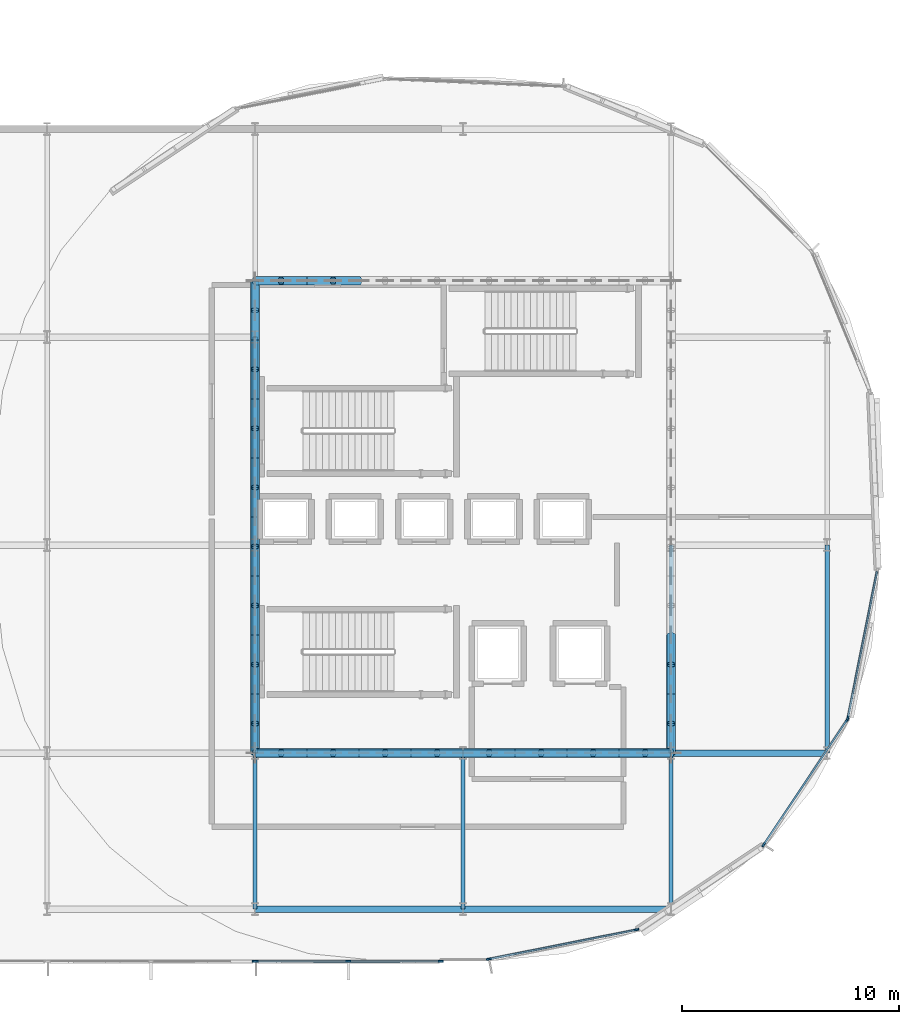
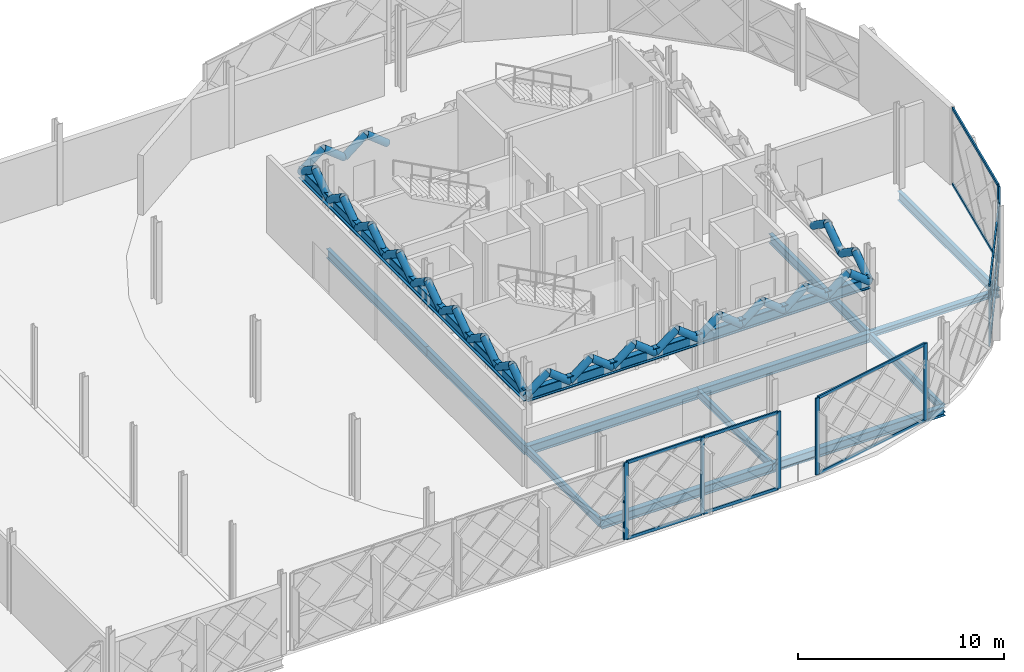
# One storey, part 33 of 77: 62 members, 12 beams, 5 elements without a shape of their own.
"""IFC4 building model written with IfcOpenShell, lengths in metres."""

from ifc_helpers import new_model, si_unit, direction, frame, origin, origin_2d, place, context, subcontext, project, spatial, rectangle, hollow_circle, i_section, extrude, material, layer, layer_set, material_profile, profile_set, type_object, element, aggregate, save


model = new_model("IFC4")

# Units and contexts
model_context = context("Model", 3, precision=1e-05, world=origin(), true_north=direction((0.0, 1.0)))
body_context = subcontext(model_context, "Body", "Model", "MODEL_VIEW")
ifc_project = project(units=[si_unit("LENGTHUNIT", "METRE"), si_unit("AREAUNIT", "SQUARE_METRE"), si_unit("VOLUMEUNIT", "CUBIC_METRE"), si_unit("PLANEANGLEUNIT", "RADIAN"), si_unit("MASSUNIT", "GRAM", prefix="KILO")], contexts=[model_context])

# Site, building, storey
site_placement = place(None, origin())
site = spatial("IfcSite", under=ifc_project, at=site_placement, CompositionType="ELEMENT")
building_placement = place(site_placement, origin())
building = spatial("IfcBuilding", under=site, at=building_placement, Name="Zevrakil Square Congress Hotel", CompositionType="ELEMENT")
storey_placement = place(building_placement, frame((0.0, 0.0, 9.89990234375)))
storey = spatial("IfcBuildingStorey", under=building, at=storey_placement, Name="L03", CompositionType="ELEMENT", Elevation=9.89990234375)

# Beams
ifc_material_1 = material(Name="Steel S355", Category="steel")
ifc_material_profile_1 = material_profile(ifc_material_1, i_section(OverallWidth=0.300048828125, OverallDepth=0.31005859375, WebThickness=0.009033203125, FlangeThickness=0.015380859375, FilletRadius=0.027099609375, at=origin_2d()), Name="HEA 320")
ifc_profile_set_1 = profile_set([ifc_material_profile_1], Name="Steel S355")
beam_type_1 = type_object("IfcBeamType", Name="BM-HEA320", PredefinedType="BEAM", material=ifc_profile_set_1)
beam_1_placement = place(storey_placement, frame((156.0, 16.800048828125, -0.414794921875), z_axis=(1.0, 0.0, 0.0), x_axis=(0.0, 1.0, 0.0)))
element("IfcBeam", 1, at=beam_1_placement, inside=storey, type_object=beam_type_1, Name="L03 primary girder BX-0995", PredefinedType="BEAM", context=body_context, shape_type="SweptSolid", body=[
    extrude(i_section(OverallWidth=0.300048828125, OverallDepth=0.31005859375, WebThickness=0.009033203125, FlangeThickness=0.015380859375, FilletRadius=0.027099609375, at=origin_2d()), origin(), (0.0, 0.0, 1.0), 7.199951171875),
])
ifc_material_2 = material(Name="Steel S355", Category="steel")
ifc_material_profile_2 = material_profile(ifc_material_2, i_section(OverallWidth=0.300048828125, OverallDepth=0.5400390625, WebThickness=0.012451171875, FlangeThickness=0.02392578125, FilletRadius=0.027099609375, at=origin_2d()), Name="HEA 550")
ifc_profile_set_2 = profile_set([ifc_material_profile_2], Name="Steel S355")
beam_type_2 = type_object("IfcBeamType", Name="BM-HEA550", PredefinedType="BEAM", material=ifc_profile_set_2)
beam_2_placement = place(storey_placement, frame((136.800048828125, 9.60009765625, -0.52978515625), z_axis=(1.0, 0.0, 0.0), x_axis=(0.0, 1.0, 0.0)))
element("IfcBeam", 2, at=beam_2_placement, inside=storey, type_object=beam_type_2, Name="L03 primary girder BX-0981", PredefinedType="BEAM", context=body_context, shape_type="SweptSolid", body=[
    extrude(i_section(OverallWidth=0.300048828125, OverallDepth=0.5400390625, WebThickness=0.012451171875, FlangeThickness=0.02392578125, FilletRadius=0.027099609375, at=origin_2d()), origin(), (0.0, 0.0, 1.0), 9.599853515625),
])
beam_3_placement = place(storey_placement, frame((146.39990234375, 9.60009765625, -0.52978515625), z_axis=(1.0, 0.0, 0.0), x_axis=(0.0, 1.0, 0.0)))
element("IfcBeam", 3, at=beam_3_placement, inside=storey, type_object=beam_type_2, Name="L03 primary girder BX-0982", PredefinedType="BEAM", context=body_context, shape_type="SweptSolid", body=[
    extrude(i_section(OverallWidth=0.300048828125, OverallDepth=0.5400390625, WebThickness=0.012451171875, FlangeThickness=0.02392578125, FilletRadius=0.027099609375, at=origin_2d()), origin(), (0.0, 0.0, 1.0), 9.60009765625),
])
beam_4_placement = place(storey_placement, frame((136.800048828125, 16.800048828125, -0.52978515625), z_axis=(1.0, 0.0, 0.0), x_axis=(0.0, 1.0, 0.0)))
element("IfcBeam", 4, at=beam_4_placement, inside=storey, type_object=beam_type_2, Name="L03 primary girder BX-0993", PredefinedType="BEAM", context=body_context, shape_type="SweptSolid", body=[
    extrude(i_section(OverallWidth=0.300048828125, OverallDepth=0.5400390625, WebThickness=0.012451171875, FlangeThickness=0.02392578125, FilletRadius=0.027099609375, at=origin_2d()), origin(), (0.0, 0.0, 1.0), 9.599853515625),
])
beam_5_placement = place(storey_placement, frame((146.39990234375, 16.800048828125, -0.52978515625), z_axis=(1.0, 0.0, 0.0), x_axis=(0.0, 1.0, 0.0)))
element("IfcBeam", 5, at=beam_5_placement, inside=storey, type_object=beam_type_2, Name="L03 primary girder BX-0994", PredefinedType="BEAM", context=body_context, shape_type="SweptSolid", body=[
    extrude(i_section(OverallWidth=0.300048828125, OverallDepth=0.5400390625, WebThickness=0.012451171875, FlangeThickness=0.02392578125, FilletRadius=0.027099609375, at=origin_2d()), origin(), (0.0, 0.0, 1.0), 9.60009765625),
])
ifc_material_3 = material(Name="Steel S355", Category="steel")
ifc_material_profile_3 = material_profile(ifc_material_3, i_section(OverallWidth=0.18994140625, OverallDepth=0.449951171875, WebThickness=0.009521484375, FlangeThickness=0.0146484375, FilletRadius=0.02099609375, at=origin_2d()), Name="IPE 450")
ifc_profile_set_3 = profile_set([ifc_material_profile_3], Name="Steel S355")
beam_type_3 = type_object("IfcBeamType", Name="BM-IPE450", PredefinedType="BEAM", material=ifc_profile_set_3)
for number, where, z_axis, x_axis, name in (
    (6, (136.800048828125, 9.60009765625, -0.48486328125), (0.0, 1.0, 0.0), (-1.0, 0.0, 0.0), "L03 primary girder BY-1176"),
    (7, (146.39990234375, 9.60009765625, -0.48486328125), (0.0, 1.0, 0.0), (-1.0, 0.0, 0.0), "L03 primary girder BY-1180"),
    (8, (156.0, 9.60009765625, -0.48486328125), (0.0, 1.0, 0.0), (-1.0, 0.0, 0.0), "L03 primary girder BY-1181"),
):
    element("IfcBeam", number, at=place(storey_placement, frame(where, z_axis=z_axis, x_axis=x_axis)), inside=storey, type_object=beam_type_3, Name=name, PredefinedType="BEAM", context=body_context, shape_type="SweptSolid", body=[
        extrude(i_section(OverallWidth=0.18994140625, OverallDepth=0.449951171875, WebThickness=0.009521484375, FlangeThickness=0.0146484375, FilletRadius=0.02099609375, at=origin_2d()), origin(), (0.0, 0.0, 1.0), 7.199951171875),
    ])
ifc_material_4 = material(Name="Steel S355", Category="steel")
ifc_material_profile_4 = material_profile(ifc_material_4, i_section(OverallWidth=0.2099609375, OverallDepth=0.550048828125, WebThickness=0.010986328125, FlangeThickness=0.01708984375, FilletRadius=0.02392578125, at=origin_2d()), Name="IPE 550")
ifc_profile_set_4 = profile_set([ifc_material_profile_4], Name="Steel S355")
beam_type_4 = type_object("IfcBeamType", Name="BM-IPE550", PredefinedType="BEAM", material=ifc_profile_set_4)
beam_6_placement = place(storey_placement, frame((136.800048828125, 16.800048828125, -0.534912109375), z_axis=(0.0, 1.0, 0.0), x_axis=(-1.0, 0.0, 0.0)))
element("IfcBeam", 9, at=beam_6_placement, inside=storey, type_object=beam_type_4, Name="L03 primary girder BY-1177", PredefinedType="BEAM", context=body_context, shape_type="SweptSolid", body=[
    extrude(i_section(OverallWidth=0.2099609375, OverallDepth=0.550048828125, WebThickness=0.010986328125, FlangeThickness=0.01708984375, FilletRadius=0.02392578125, at=origin_2d()), origin(), (0.0, 0.0, 1.0), 9.599853515625),
])
beam_7_placement = place(storey_placement, frame((136.800048828125, 26.39990234375, -0.534912109375), z_axis=(0.0, 1.0, 0.0), x_axis=(-1.0, 0.0, 0.0)))
element("IfcBeam", 10, at=beam_7_placement, inside=storey, type_object=beam_type_4, Name="L03 primary girder BY-1178", PredefinedType="BEAM", context=body_context, shape_type="SweptSolid", body=[
    extrude(i_section(OverallWidth=0.2099609375, OverallDepth=0.550048828125, WebThickness=0.010986328125, FlangeThickness=0.01708984375, FilletRadius=0.02392578125, at=origin_2d()), origin(), (0.0, 0.0, 1.0), 9.60009765625),
])
for number, where, z_axis, x_axis, name in (
    (11, (156.0, 16.800048828125, -0.534912109375), (0.0, 1.0, 0.0), (-1.0, 0.0, 0.0), "L03 primary girder BY-1182"),
    (12, (163.199951171875, 16.800048828125, -0.534912109375), (0.0, 1.0, 0.0), (-1.0, 0.0, 0.0), "L03 primary girder BY-1185"),
):
    element("IfcBeam", number, at=place(storey_placement, frame(where, z_axis=z_axis, x_axis=x_axis)), inside=storey, type_object=beam_type_4, Name=name, PredefinedType="BEAM", context=body_context, shape_type="SweptSolid", body=[
        extrude(i_section(OverallWidth=0.2099609375, OverallDepth=0.550048828125, WebThickness=0.010986328125, FlangeThickness=0.01708984375, FilletRadius=0.02392578125, at=origin_2d()), origin(), (0.0, 0.0, 1.0), 9.599853515625),
    ])

# Curtain wall, members
ifc_material_5 = material(Name="Aluminium Anodised Bronze", Category="aluminium")
ifc_layer_1 = layer(ifc_material_5, 0.179931640625)
ifc_layer_set_1 = layer_set([ifc_layer_1], Name="Aluminium Anodised Bronze")
curtain_wall_type_1 = type_object("IfcCurtainWallType", Name="CW-L03-840", PredefinedType="USERDEFINED", material=ifc_layer_set_1)
curtain_wall_1_placement = place(storey_placement, origin())
curtain_wall_1 = element("IfcCurtainWall", 13, at=curtain_wall_1_placement, inside=storey, type_object=curtain_wall_type_1, Name="L03 diamond curtain wall CW-L03-0017", ObjectType="GLAZED CURTAIN WALL", PredefinedType="USERDEFINED")
ifc_material_6 = material(Name="Aluminium Anodised Bronze", Category="aluminium")
ifc_material_profile_5 = material_profile(ifc_material_6, rectangle(XDim=0.0849609375, YDim=0.179931640625, at=origin_2d()), Name="ALU 85x180")
ifc_profile_set_5 = profile_set([ifc_material_profile_5], Name="Aluminium Anodised Bronze")
member_type_1 = type_object("IfcMemberType", Name="CWM-ALU85x180", PredefinedType="USERDEFINED", material=ifc_profile_set_5)
member_1_placement = place(storey_placement, frame((136.863037109375, 7.199951171875, 0.030029296875), z_axis=(1.0, 0.0, 0.0), x_axis=(0.0, 1.0, 0.0)))
member_1 = element("IfcMember", 14, at=member_1_placement, type_object=member_type_1, Name="CW-35 transom 1.1", ObjectType="TRANSOM", PredefinedType="USERDEFINED", context=body_context, shape_type="SweptSolid", body=[
    extrude(rectangle(XDim=0.0849609375, YDim=0.179931640625, at=origin_2d()), origin(), (0.0, 0.0, 1.0), 4.20849609375),
])
member_2_placement = place(storey_placement, frame((136.863037109375, 7.199951171875, 4.510009765625), z_axis=(1.0, 0.0, 0.0), x_axis=(0.0, 1.0, 0.0)))
member_2 = element("IfcMember", 15, at=member_2_placement, type_object=member_type_1, Name="CW-35 transom 1.2", ObjectType="TRANSOM", PredefinedType="USERDEFINED", context=body_context, shape_type="SweptSolid", body=[
    extrude(rectangle(XDim=0.0849609375, YDim=0.179931640625, at=origin_2d()), origin(), (0.0, 0.0, 1.0), 4.20849609375),
])
member_3_placement = place(storey_placement, frame((141.131591796875, 7.199951171875, 0.030029296875), z_axis=(1.0, 0.0, 0.0), x_axis=(0.0, 1.0, 0.0)))
member_3 = element("IfcMember", 16, at=member_3_placement, type_object=member_type_1, Name="CW-35 transom 2.1", ObjectType="TRANSOM", PredefinedType="USERDEFINED", context=body_context, shape_type="SweptSolid", body=[
    extrude(rectangle(XDim=0.0849609375, YDim=0.179931640625, at=origin_2d()), origin(), (0.0, 0.0, 1.0), 4.20849609375),
])
member_4_placement = place(storey_placement, frame((141.131591796875, 7.199951171875, 4.510009765625), z_axis=(1.0, 0.0, 0.0), x_axis=(0.0, 1.0, 0.0)))
member_4 = element("IfcMember", 17, at=member_4_placement, type_object=member_type_1, Name="CW-35 transom 2.2", ObjectType="TRANSOM", PredefinedType="USERDEFINED", context=body_context, shape_type="SweptSolid", body=[
    extrude(rectangle(XDim=0.0849609375, YDim=0.179931640625, at=origin_2d()), origin(), (0.0, 0.0, 1.0), 4.20849609375),
])

ifc_material_7 = material(Name="Aluminium Anodised Bronze", Category="aluminium")
ifc_layer_2 = layer(ifc_material_7, 0.179931640625)
ifc_layer_set_2 = layer_set([ifc_layer_2], Name="Aluminium Anodised Bronze")
curtain_wall_type_2 = type_object("IfcCurtainWallType", Name="CW-L03-720", PredefinedType="USERDEFINED", material=ifc_layer_set_2)
curtain_wall_2_placement = place(storey_placement, origin())
curtain_wall_2 = element("IfcCurtainWall", 18, at=curtain_wall_2_placement, inside=storey, type_object=curtain_wall_type_2, Name="L03 diamond curtain wall CW-L03-0161", ObjectType="GLAZED CURTAIN WALL", PredefinedType="USERDEFINED")
member_5_placement = place(storey_placement, frame((147.61376953125, 7.3017578125, 0.030029296875), z_axis=(0.98078740996, 0.195079615704, 0.0), x_axis=(-0.195079615704, 0.98078740996, 0.0)))
member_5 = element("IfcMember", 19, at=member_5_placement, type_object=member_type_1, Name="CW-34 transom 1.1", ObjectType="TRANSOM", PredefinedType="USERDEFINED", context=body_context, shape_type="SweptSolid", body=[
    extrude(rectangle(XDim=0.0849609375, YDim=0.179931640625, at=origin_2d()), origin(), (0.0, 0.0, 1.0), 6.8857421875),
])
member_6_placement = place(storey_placement, frame((147.61376953125, 7.3017578125, 4.510009765625), z_axis=(0.98078740996, 0.195079615704, 0.0), x_axis=(-0.195079615704, 0.98078740996, 0.0)))
member_6 = element("IfcMember", 20, at=member_6_placement, type_object=member_type_1, Name="CW-34 transom 1.2", ObjectType="TRANSOM", PredefinedType="USERDEFINED", context=body_context, shape_type="SweptSolid", body=[
    extrude(rectangle(XDim=0.0849609375, YDim=0.179931640625, at=origin_2d()), origin(), (0.0, 0.0, 1.0), 6.8857421875),
])

curtain_wall_3_placement = place(storey_placement, origin())
curtain_wall_3 = element("IfcCurtainWall", 21, at=curtain_wall_3_placement, inside=storey, type_object=curtain_wall_type_2, Name="L03 diamond curtain wall CW-L03-0162", ObjectType="GLAZED CURTAIN WALL", PredefinedType="USERDEFINED")
member_7_placement = place(storey_placement, frame((160.284423828125, 12.598876953125, 0.030029296875), z_axis=(0.555575403777, 0.83146615729, 0.0), x_axis=(-0.83146615729, 0.555575403777, 0.0)))
member_7 = element("IfcMember", 22, at=member_7_placement, type_object=member_type_1, Name="CW-34 transom 1.1", ObjectType="TRANSOM", PredefinedType="USERDEFINED", context=body_context, shape_type="SweptSolid", body=[
    extrude(rectangle(XDim=0.0849609375, YDim=0.179931640625, at=origin_2d()), origin(), (0.0, 0.0, 1.0), 6.885498046875),
])
member_8_placement = place(storey_placement, frame((160.284423828125, 12.598876953125, 1.48486328125), z_axis=(0.555575403777, 0.83146615729, 0.0), x_axis=(-0.83146615729, 0.555575403777, 0.0)))
member_8 = element("IfcMember", 23, at=member_8_placement, type_object=member_type_1, Name="CW-34 transom 1.2", ObjectType="TRANSOM", PredefinedType="USERDEFINED", context=body_context, shape_type="SweptSolid", body=[
    extrude(rectangle(XDim=0.0849609375, YDim=0.179931640625, at=origin_2d()), origin(), (0.0, 0.0, 1.0), 6.885498046875),
])
member_9_placement = place(storey_placement, frame((160.284423828125, 12.598876953125, 3.505126953125), z_axis=(0.555575403777, 0.83146615729, 0.0), x_axis=(-0.83146615729, 0.555575403777, 0.0)))
member_9 = element("IfcMember", 24, at=member_9_placement, type_object=member_type_1, Name="CW-34 transom 1.3", ObjectType="TRANSOM", PredefinedType="USERDEFINED", context=body_context, shape_type="SweptSolid", body=[
    extrude(rectangle(XDim=0.0849609375, YDim=0.179931640625, at=origin_2d()), origin(), (0.0, 0.0, 1.0), 6.885498046875),
])

curtain_wall_4_placement = place(storey_placement, origin())
curtain_wall_4 = element("IfcCurtainWall", 25, at=curtain_wall_4_placement, inside=storey, type_object=curtain_wall_type_2, Name="L03 diamond curtain wall CW-L03-0163", ObjectType="GLAZED CURTAIN WALL", PredefinedType="USERDEFINED")
member_10_placement = place(storey_placement, frame((164.155029296875, 18.432861328125, 0.030029296875), z_axis=(0.195086399814, 0.98078606057, 0.0), x_axis=(-0.98078606057, 0.195086399814, 0.0)))
member_10 = element("IfcMember", 26, at=member_10_placement, type_object=member_type_1, Name="CW-34 transom 1.1", ObjectType="TRANSOM", PredefinedType="USERDEFINED", context=body_context, shape_type="SweptSolid", body=[
    extrude(rectangle(XDim=0.0849609375, YDim=0.179931640625, at=origin_2d()), origin(), (0.0, 0.0, 1.0), 6.885498046875),
])
member_11_placement = place(storey_placement, frame((164.155029296875, 18.432861328125, 4.510009765625), z_axis=(0.195086399814, 0.98078606057, 0.0), x_axis=(-0.98078606057, 0.195086399814, 0.0)))
member_11 = element("IfcMember", 27, at=member_11_placement, type_object=member_type_1, Name="CW-34 transom 1.2", ObjectType="TRANSOM", PredefinedType="USERDEFINED", context=body_context, shape_type="SweptSolid", body=[
    extrude(rectangle(XDim=0.0849609375, YDim=0.179931640625, at=origin_2d()), origin(), (0.0, 0.0, 1.0), 6.885498046875),
])

# Curtain wall, member
ifc_material_8 = material(Name="Aluminium Anodised Bronze", Category="aluminium")
ifc_layer_3 = layer(ifc_material_8, 0.179931640625)
ifc_layer_set_3 = layer_set([ifc_layer_3], Name="Aluminium Anodised Bronze")
curtain_wall_type_3 = type_object("IfcCurtainWallType", Name="CW-L03-900", PredefinedType="USERDEFINED", material=ifc_layer_set_3)
curtain_wall_5_placement = place(storey_placement, origin())
curtain_wall_5 = element("IfcCurtainWall", 28, at=curtain_wall_5_placement, inside=storey, type_object=curtain_wall_type_3, Name="L03 diamond curtain wall CW-L03-0015", ObjectType="GLAZED CURTAIN WALL", PredefinedType="USERDEFINED")
ifc_material_9 = material(Name="Aluminium Anodised Bronze", Category="aluminium")
ifc_material_profile_6 = material_profile(ifc_material_9, rectangle(XDim=0.0849609375, YDim=0.219970703125, at=origin_2d()), Name="ALU 85x220")
ifc_profile_set_6 = profile_set([ifc_material_profile_6], Name="Aluminium Anodised Bronze")
member_type_2 = type_object("IfcMemberType", Name="CWM-ALU85x220", PredefinedType="MULLION", material=ifc_profile_set_6)
member_12_placement = place(storey_placement, frame((136.76708984375, 7.199951171875, 0.0), z_axis=(0.0, 0.0, 1.0), x_axis=(0.0, 1.0, 0.0)))
member_12 = element("IfcMember", 29, at=member_12_placement, type_object=member_type_2, Name="CW-36 mullion 3", PredefinedType="MULLION", context=body_context, shape_type="SweptSolid", body=[
    extrude(rectangle(XDim=0.0849609375, YDim=0.219970703125, at=origin_2d()), origin(), (0.0, 0.0, 1.0), 4.5400390625),
])
aggregate(curtain_wall_5, [member_12])

# Member
member_13_placement = place(storey_placement, frame((136.8330078125, 7.199951171875, 0.0), z_axis=(0.0, 0.0, 1.0), x_axis=(0.0, 1.0, 0.0)))
member_13 = element("IfcMember", 30, at=member_13_placement, type_object=member_type_2, Name="CW-35 mullion 1", PredefinedType="MULLION", context=body_context, shape_type="SweptSolid", body=[
    extrude(rectangle(XDim=0.0849609375, YDim=0.219970703125, at=origin_2d()), origin(), (0.0, 0.0, 1.0), 4.5400390625),
])

member_14_placement = place(storey_placement, frame((141.1015625, 7.199951171875, 0.0), z_axis=(0.0, 0.0, 1.0), x_axis=(0.0, 1.0, 0.0)))
member_14 = element("IfcMember", 31, at=member_14_placement, type_object=member_type_2, Name="CW-35 mullion 2", PredefinedType="MULLION", context=body_context, shape_type="SweptSolid", body=[
    extrude(rectangle(XDim=0.0849609375, YDim=0.219970703125, at=origin_2d()), origin(), (0.0, 0.0, 1.0), 4.5400390625),
])

member_15_placement = place(storey_placement, frame((145.3701171875, 7.199951171875, 0.0), z_axis=(0.0, 0.0, 1.0), x_axis=(0.0, 1.0, 0.0)))
member_15 = element("IfcMember", 32, at=member_15_placement, type_object=member_type_2, Name="CW-35 mullion 3", PredefinedType="MULLION", context=body_context, shape_type="SweptSolid", body=[
    extrude(rectangle(XDim=0.0849609375, YDim=0.219970703125, at=origin_2d()), origin(), (0.0, 0.0, 1.0), 4.5400390625),
])

aggregate(curtain_wall_1, [member_13, member_14, member_15, member_1, member_2, member_3, member_4])

member_16_placement = place(storey_placement, frame((147.58447265625, 7.2958984375, 0.0), z_axis=(0.0, 0.0, 1.0), x_axis=(-0.195083900459, 0.980786557708, 0.0)))
member_16 = element("IfcMember", 33, at=member_16_placement, type_object=member_type_2, Name="CW-34 mullion 1", PredefinedType="MULLION", context=body_context, shape_type="SweptSolid", body=[
    extrude(rectangle(XDim=0.0849609375, YDim=0.219970703125, at=origin_2d()), origin(), (0.0, 0.0, 1.0), 4.5400390625),
])

member_17_placement = place(storey_placement, frame((154.396728515625, 8.65087890625, 0.0), z_axis=(0.0, 0.0, 1.0), x_axis=(-0.195083900459, 0.980786557708, 0.0)))
member_17 = element("IfcMember", 34, at=member_17_placement, type_object=member_type_2, Name="CW-34 mullion 2", PredefinedType="MULLION", context=body_context, shape_type="SweptSolid", body=[
    extrude(rectangle(XDim=0.0849609375, YDim=0.219970703125, at=origin_2d()), origin(), (0.0, 0.0, 1.0), 4.5400390625),
])

aggregate(curtain_wall_2, [member_16, member_17, member_5, member_6])

member_18_placement = place(storey_placement, frame((160.267822265625, 12.57373046875, 0.0), z_axis=(0.0, 0.0, 1.0), x_axis=(-0.831465693332, 0.555576098128, 0.0)))
member_18 = element("IfcMember", 35, at=member_18_placement, type_object=member_type_2, Name="CW-34 mullion 1", PredefinedType="MULLION", context=body_context, shape_type="SweptSolid", body=[
    extrude(rectangle(XDim=0.0849609375, YDim=0.219970703125, at=origin_2d()), origin(), (0.0, 0.0, 1.0), 3.53515625),
])

member_19_placement = place(storey_placement, frame((164.126708984375, 18.348876953125, 0.0), z_axis=(0.0, 0.0, 1.0), x_axis=(-0.831465693332, 0.555576098128, 0.0)))
member_19 = element("IfcMember", 36, at=member_19_placement, type_object=member_type_2, Name="CW-34 mullion 2", PredefinedType="MULLION", context=body_context, shape_type="SweptSolid", body=[
    extrude(rectangle(XDim=0.0849609375, YDim=0.219970703125, at=origin_2d()), origin(), (0.0, 0.0, 1.0), 3.53515625),
])

aggregate(curtain_wall_3, [member_18, member_19, member_7, member_8, member_9])

member_20_placement = place(storey_placement, frame((164.149169921875, 18.4033203125, 0.0), z_axis=(0.0, 0.0, 1.0), x_axis=(-0.980786557708, 0.195083900459, 0.0)))
member_20 = element("IfcMember", 37, at=member_20_placement, type_object=member_type_2, Name="CW-34 mullion 1", PredefinedType="MULLION", context=body_context, shape_type="SweptSolid", body=[
    extrude(rectangle(XDim=0.0849609375, YDim=0.219970703125, at=origin_2d()), origin(), (0.0, 0.0, 1.0), 4.5400390625),
])

aggregate(curtain_wall_4, [member_20, member_10, member_11])

# Members
ifc_material_10 = material(Name="Steel S355", Category="steel")
ifc_material_profile_7 = material_profile(ifc_material_10, hollow_circle(Radius=0.203125, WallThickness=0.02001953125, at=origin_2d()), Name="CHS 406.4x20")
ifc_profile_set_7 = profile_set([ifc_material_profile_7], Name="Steel S355")
member_type_3 = type_object("IfcMemberType", Name="MEM-BRACE-CHS406", PredefinedType="BRACE", material=ifc_profile_set_7)
for number, where, z_axis, x_axis, name in (
    (38, (136.800048828125, 16.800048828125, 2.7001953125), (0.784049059149, 0.0, 0.620698858423), (0.0, 1.0, 0.0), "L03 Warren transfer diagonal TT-01-D1-1"),
    (39, (138.0, 16.800048828125, 3.650146484375), (0.784049059149, 0.0, -0.620698858423), (0.0, 1.0, 0.0), "L03 Warren transfer diagonal TT-01-D2-1"),
    (40, (139.199951171875, 16.800048828125, 2.7001953125), (0.784049059149, 0.0, 0.620698858423), (0.0, 1.0, 0.0), "L03 Warren transfer diagonal TT-01-D1-2"),
):
    element("IfcMember", number, at=place(storey_placement, frame(where, z_axis=z_axis, x_axis=x_axis)), inside=storey, type_object=member_type_3, Name=name, PredefinedType="BRACE", context=body_context, shape_type="SweptSolid", body=[
        extrude(hollow_circle(Radius=0.203125, WallThickness=0.02001953125, at=origin_2d()), origin(), (0.0, 0.0, 1.0), 1.530517578125),
    ])
member_21_placement = place(storey_placement, frame((140.39990234375, 16.800048828125, 3.650146484375), z_axis=(0.784110506071, 0.0, -0.620621232531), x_axis=(0.0, 1.0, 0.0)))
element("IfcMember", 41, at=member_21_placement, inside=storey, type_object=member_type_3, Name="L03 Warren transfer diagonal TT-01-D2-2", PredefinedType="BRACE", context=body_context, shape_type="SweptSolid", body=[
    extrude(hollow_circle(Radius=0.203125, WallThickness=0.02001953125, at=origin_2d()), origin(), (0.0, 0.0, 1.0), 1.53076171875),
])
for number, where, z_axis, x_axis, name in (
    (42, (141.60009765625, 16.800048828125, 2.7001953125), (0.784049059149, 0.0, 0.620698858423), (0.0, 1.0, 0.0), "L03 Warren transfer diagonal TT-01-D1-3"),
    (43, (142.800048828125, 16.800048828125, 3.650146484375), (0.784049059149, 0.0, -0.620698858423), (0.0, 1.0, 0.0), "L03 Warren transfer diagonal TT-01-D2-3"),
    (44, (144.0, 16.800048828125, 2.7001953125), (0.784049059149, 0.0, 0.620698858423), (0.0, 1.0, 0.0), "L03 Warren transfer diagonal TT-01-D1-4"),
    (45, (145.199951171875, 16.800048828125, 3.650146484375), (0.784049059149, 0.0, -0.620698858423), (0.0, 1.0, 0.0), "L03 Warren transfer diagonal TT-01-D2-4"),
):
    element("IfcMember", number, at=place(storey_placement, frame(where, z_axis=z_axis, x_axis=x_axis)), inside=storey, type_object=member_type_3, Name=name, PredefinedType="BRACE", context=body_context, shape_type="SweptSolid", body=[
        extrude(hollow_circle(Radius=0.203125, WallThickness=0.02001953125, at=origin_2d()), origin(), (0.0, 0.0, 1.0), 1.530517578125),
    ])
member_22_placement = place(storey_placement, frame((146.39990234375, 16.800048828125, 2.7001953125), z_axis=(0.784110506071, 0.0, 0.620621232531), x_axis=(0.0, 1.0, 0.0)))
element("IfcMember", 46, at=member_22_placement, inside=storey, type_object=member_type_3, Name="L03 Warren transfer diagonal TT-01-D1-5", PredefinedType="BRACE", context=body_context, shape_type="SweptSolid", body=[
    extrude(hollow_circle(Radius=0.203125, WallThickness=0.02001953125, at=origin_2d()), origin(), (0.0, 0.0, 1.0), 1.53076171875),
])
for number, where, z_axis, x_axis, name in (
    (47, (147.60009765625, 16.800048828125, 3.650146484375), (0.784049059149, 0.0, -0.620698858423), (0.0, 1.0, 0.0), "L03 Warren transfer diagonal TT-01-D2-5"),
    (48, (148.800048828125, 16.800048828125, 2.7001953125), (0.784049059149, 0.0, 0.620698858423), (0.0, 1.0, 0.0), "L03 Warren transfer diagonal TT-01-D1-6"),
    (49, (150.0, 16.800048828125, 3.650146484375), (0.784049059149, 0.0, -0.620698858423), (0.0, 1.0, 0.0), "L03 Warren transfer diagonal TT-01-D2-6"),
    (50, (151.199951171875, 16.800048828125, 2.7001953125), (0.784049059149, 0.0, 0.620698858423), (0.0, 1.0, 0.0), "L03 Warren transfer diagonal TT-01-D1-7"),
):
    element("IfcMember", number, at=place(storey_placement, frame(where, z_axis=z_axis, x_axis=x_axis)), inside=storey, type_object=member_type_3, Name=name, PredefinedType="BRACE", context=body_context, shape_type="SweptSolid", body=[
        extrude(hollow_circle(Radius=0.203125, WallThickness=0.02001953125, at=origin_2d()), origin(), (0.0, 0.0, 1.0), 1.530517578125),
    ])
member_23_placement = place(storey_placement, frame((152.39990234375, 16.800048828125, 3.650146484375), z_axis=(0.784110506071, 0.0, -0.620621232531), x_axis=(0.0, 1.0, 0.0)))
element("IfcMember", 51, at=member_23_placement, inside=storey, type_object=member_type_3, Name="L03 Warren transfer diagonal TT-01-D2-7", PredefinedType="BRACE", context=body_context, shape_type="SweptSolid", body=[
    extrude(hollow_circle(Radius=0.203125, WallThickness=0.02001953125, at=origin_2d()), origin(), (0.0, 0.0, 1.0), 1.53076171875),
])
for number, where, z_axis, x_axis, name in (
    (52, (153.60009765625, 16.800048828125, 2.7001953125), (0.784049059149, 0.0, 0.620698858423), (0.0, 1.0, 0.0), "L03 Warren transfer diagonal TT-01-D1-8"),
    (53, (154.800048828125, 16.800048828125, 3.650146484375), (0.784049059149, 0.0, -0.620698858423), (0.0, 1.0, 0.0), "L03 Warren transfer diagonal TT-01-D2-8"),
):
    element("IfcMember", number, at=place(storey_placement, frame(where, z_axis=z_axis, x_axis=x_axis)), inside=storey, type_object=member_type_3, Name=name, PredefinedType="BRACE", context=body_context, shape_type="SweptSolid", body=[
        extrude(hollow_circle(Radius=0.203125, WallThickness=0.02001953125, at=origin_2d()), origin(), (0.0, 0.0, 1.0), 1.530517578125),
    ])
for number, where, z_axis, x_axis, name in (
    (54, (156.0, 16.800048828125, 2.7001953125), (0.0, 0.82031458275, 0.571912567905), (-1.0, 0.0, 0.0), "L03 Warren transfer diagonal TT-02-D1-1"),
    (55, (156.0, 18.16259765625, 3.650146484375), (0.0, 0.820266498124, -0.571981531219), (-1.0, 0.0, 0.0), "L03 Warren transfer diagonal TT-02-D2-1"),
    (56, (156.0, 19.52490234375, 2.7001953125), (0.0, 0.82031458275, 0.571912567905), (-1.0, 0.0, 0.0), "L03 Warren transfer diagonal TT-02-D1-2"),
    (57, (156.0, 20.887451171875, 3.650146484375), (0.0, 0.82031458275, -0.571912567905), (-1.0, 0.0, 0.0), "L03 Warren transfer diagonal TT-02-D2-2"),
):
    element("IfcMember", number, at=place(storey_placement, frame(where, z_axis=z_axis, x_axis=x_axis)), inside=storey, type_object=member_type_3, Name=name, PredefinedType="BRACE", context=body_context, shape_type="SweptSolid", body=[
        extrude(hollow_circle(Radius=0.203125, WallThickness=0.02001953125, at=origin_2d()), origin(), (0.0, 0.0, 1.0), 1.660888671875),
    ])
for number, where, z_axis, x_axis, name in (
    (58, (136.800048828125, 38.60009765625, 2.7001953125), (0.784049059149, 0.0, 0.620698858423), (0.0, 1.0, 0.0), "L03 Warren transfer diagonal TT-03-D1-1"),
    (59, (138.0, 38.60009765625, 3.650146484375), (0.784049059149, 0.0, -0.620698858423), (0.0, 1.0, 0.0), "L03 Warren transfer diagonal TT-03-D2-1"),
    (60, (139.199951171875, 38.60009765625, 2.7001953125), (0.784049059149, 0.0, 0.620698858423), (0.0, 1.0, 0.0), "L03 Warren transfer diagonal TT-03-D1-2"),
):
    element("IfcMember", number, at=place(storey_placement, frame(where, z_axis=z_axis, x_axis=x_axis)), inside=storey, type_object=member_type_3, Name=name, PredefinedType="BRACE", context=body_context, shape_type="SweptSolid", body=[
        extrude(hollow_circle(Radius=0.203125, WallThickness=0.02001953125, at=origin_2d()), origin(), (0.0, 0.0, 1.0), 1.530517578125),
    ])
member_24_placement = place(storey_placement, frame((140.39990234375, 38.60009765625, 3.650146484375), z_axis=(0.784110506071, 0.0, -0.620621232531), x_axis=(0.0, 1.0, 0.0)))
element("IfcMember", 61, at=member_24_placement, inside=storey, type_object=member_type_3, Name="L03 Warren transfer diagonal TT-03-D2-2", PredefinedType="BRACE", context=body_context, shape_type="SweptSolid", body=[
    extrude(hollow_circle(Radius=0.203125, WallThickness=0.02001953125, at=origin_2d()), origin(), (0.0, 0.0, 1.0), 1.53076171875),
])
for number, where, z_axis, x_axis, name in (
    (62, (136.800048828125, 16.800048828125, 2.7001953125), (0.0, 0.82031458275, 0.571912567905), (-1.0, 0.0, 0.0), "L03 Warren transfer diagonal TT-04-D1-1"),
    (63, (136.800048828125, 18.16259765625, 3.650146484375), (0.0, 0.820266498124, -0.571981531219), (-1.0, 0.0, 0.0), "L03 Warren transfer diagonal TT-04-D2-1"),
    (64, (136.800048828125, 19.52490234375, 2.7001953125), (0.0, 0.82031458275, 0.571912567905), (-1.0, 0.0, 0.0), "L03 Warren transfer diagonal TT-04-D1-2"),
    (65, (136.800048828125, 20.887451171875, 3.650146484375), (0.0, 0.82031458275, -0.571912567905), (-1.0, 0.0, 0.0), "L03 Warren transfer diagonal TT-04-D2-2"),
    (66, (136.800048828125, 22.25, 2.7001953125), (0.0, 0.82031458275, 0.571912567905), (-1.0, 0.0, 0.0), "L03 Warren transfer diagonal TT-04-D1-3"),
    (67, (136.800048828125, 23.612548828125, 3.650146484375), (0.0, 0.82031458275, -0.571912567905), (-1.0, 0.0, 0.0), "L03 Warren transfer diagonal TT-04-D2-3"),
    (68, (136.800048828125, 24.97509765625, 2.7001953125), (0.0, 0.820266498124, 0.571981531219), (-1.0, 0.0, 0.0), "L03 Warren transfer diagonal TT-04-D1-4"),
    (69, (136.800048828125, 26.33740234375, 3.650146484375), (0.0, 0.82031458275, -0.571912567905), (-1.0, 0.0, 0.0), "L03 Warren transfer diagonal TT-04-D2-4"),
    (70, (136.800048828125, 27.699951171875, 2.7001953125), (0.0, 0.82031458275, 0.571912567905), (-1.0, 0.0, 0.0), "L03 Warren transfer diagonal TT-04-D1-5"),
    (71, (136.800048828125, 29.0625, 3.650146484375), (0.0, 0.82031458275, -0.571912567905), (-1.0, 0.0, 0.0), "L03 Warren transfer diagonal TT-04-D2-5"),
    (72, (136.800048828125, 30.425048828125, 2.7001953125), (0.0, 0.82031458275, 0.571912567905), (-1.0, 0.0, 0.0), "L03 Warren transfer diagonal TT-04-D1-6"),
    (73, (136.800048828125, 31.78759765625, 3.650146484375), (0.0, 0.820266498124, -0.571981531219), (-1.0, 0.0, 0.0), "L03 Warren transfer diagonal TT-04-D2-6"),
    (74, (136.800048828125, 33.14990234375, 2.7001953125), (0.0, 0.82031458275, 0.571912567905), (-1.0, 0.0, 0.0), "L03 Warren transfer diagonal TT-04-D1-7"),
    (75, (136.800048828125, 34.512451171875, 3.650146484375), (0.0, 0.82031458275, -0.571912567905), (-1.0, 0.0, 0.0), "L03 Warren transfer diagonal TT-04-D2-7"),
    (76, (136.800048828125, 35.875, 2.7001953125), (0.0, 0.82031458275, 0.571912567905), (-1.0, 0.0, 0.0), "L03 Warren transfer diagonal TT-04-D1-8"),
    (77, (136.800048828125, 37.237548828125, 3.650146484375), (0.0, 0.82031458275, -0.571912567905), (-1.0, 0.0, 0.0), "L03 Warren transfer diagonal TT-04-D2-8"),
):
    element("IfcMember", number, at=place(storey_placement, frame(where, z_axis=z_axis, x_axis=x_axis)), inside=storey, type_object=member_type_3, Name=name, PredefinedType="BRACE", context=body_context, shape_type="SweptSolid", body=[
        extrude(hollow_circle(Radius=0.203125, WallThickness=0.02001953125, at=origin_2d()), origin(), (0.0, 0.0, 1.0), 1.660888671875),
    ])
ifc_material_11 = material(Name="Steel S355", Category="steel")
ifc_material_profile_8 = material_profile(ifc_material_11, i_section(OverallWidth=0.304931640625, OverallDepth=0.66796875, WebThickness=0.02099609375, FlangeThickness=0.0400390625, FilletRadius=0.027099609375, at=origin_2d()), Name="HEM 650")
ifc_profile_set_8 = profile_set([ifc_material_profile_8], Name="Steel S355")
member_type_4 = type_object("IfcMemberType", Name="MEM-CHORD-HEM650", PredefinedType="CHORD", material=ifc_profile_set_8)
member_25_placement = place(storey_placement, frame((136.800048828125, 16.800048828125, 2.7001953125), z_axis=(1.0, 0.0, 0.0), x_axis=(0.0, 1.0, 0.0)))
element("IfcMember", 78, at=member_25_placement, inside=storey, type_object=member_type_4, Name="L03 Warren transfer truss TT-01 bottom chord", PredefinedType="CHORD", context=body_context, shape_type="SweptSolid", body=[
    extrude(i_section(OverallWidth=0.304931640625, OverallDepth=0.66796875, WebThickness=0.02099609375, FlangeThickness=0.0400390625, FilletRadius=0.027099609375, at=origin_2d()), origin(), (0.0, 0.0, 1.0), 19.199951171875),
])
member_26_placement = place(storey_placement, frame((136.800048828125, 16.800048828125, 2.7001953125), z_axis=(0.0, 1.0, 0.0), x_axis=(-1.0, 0.0, 0.0)))
element("IfcMember", 79, at=member_26_placement, inside=storey, type_object=member_type_4, Name="L03 Warren transfer truss TT-04 bottom chord", PredefinedType="CHORD", context=body_context, shape_type="SweptSolid", body=[
    extrude(i_section(OverallWidth=0.304931640625, OverallDepth=0.66796875, WebThickness=0.02099609375, FlangeThickness=0.0400390625, FilletRadius=0.027099609375, at=origin_2d()), origin(), (0.0, 0.0, 1.0), 21.800048828125),
])

save(model, "model.ifc")
